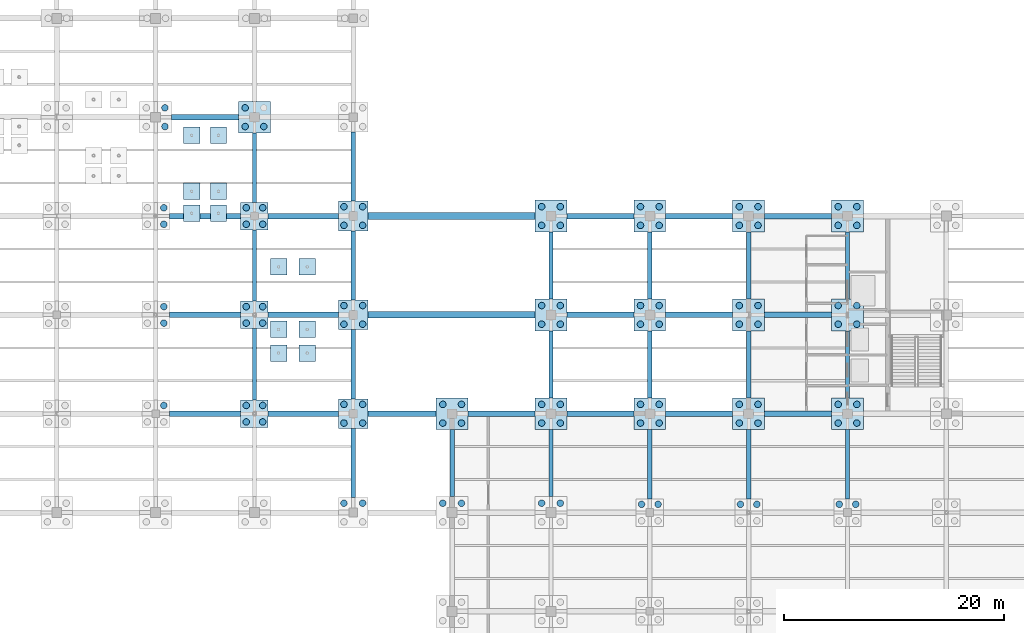
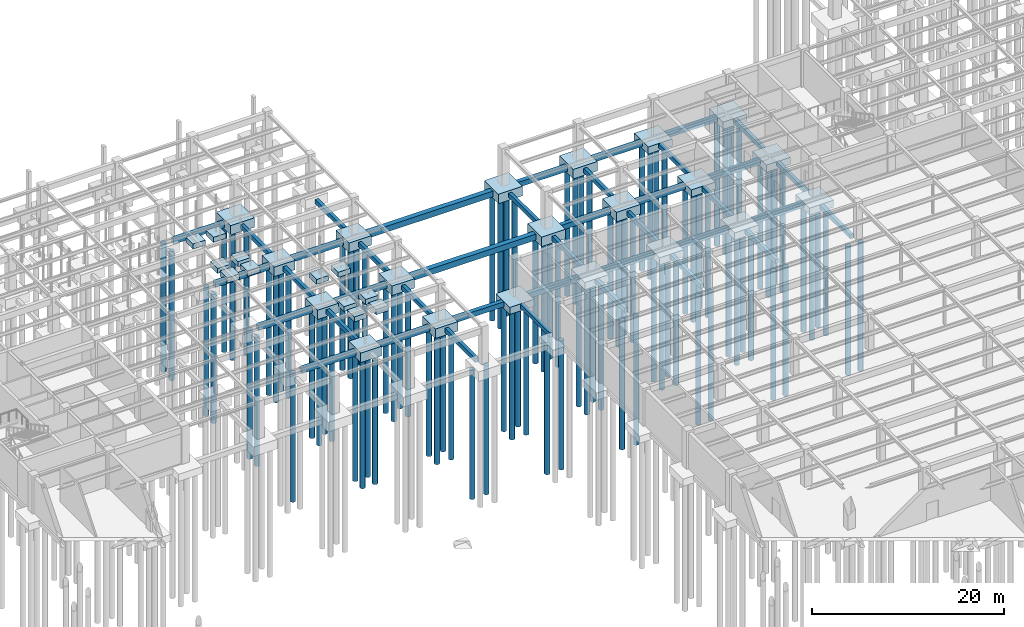
# One storey, part 6 of 49: 98 piles, 72 footings.
"""IFC4 building model written with IfcOpenShell, lengths in metres."""

from ifc_helpers import new_model, si_unit, direction, frame, origin, origin_2d, place, context, subcontext, project, spatial, rectangle, circle, extrude, material, material_profile, profile_set, type_object, element, save


model = new_model("IFC4")

# Units and contexts
model_context = context("Model", 3, precision=1e-05, world=origin(), true_north=direction((0.0, 1.0)))
body_context = subcontext(model_context, "Body", "Model", "MODEL_VIEW")
ifc_project = project(units=[si_unit("LENGTHUNIT", "METRE"), si_unit("AREAUNIT", "SQUARE_METRE"), si_unit("VOLUMEUNIT", "CUBIC_METRE"), si_unit("PLANEANGLEUNIT", "RADIAN"), si_unit("MASSUNIT", "GRAM", prefix="KILO")], contexts=[model_context])

# Site, building, storey
site_placement = place(None, origin())
site = spatial("IfcSite", under=ifc_project, at=site_placement, CompositionType="ELEMENT")
building_placement = place(site_placement, origin())
building = spatial("IfcBuilding", under=site, at=building_placement, Name="Lykobir Media Centre", CompositionType="ELEMENT")
storey_placement = place(building_placement, frame((0.0, 0.0, -4.800048828125)))
storey = spatial("IfcBuildingStorey", under=building, at=storey_placement, Name="B1", CompositionType="ELEMENT", Elevation=-4.800048828125)

# Piles
ifc_material_1 = material(Name="Concrete C30/37", Category="concrete")
ifc_material_profile = material_profile(ifc_material_1, circle(Radius=0.300048828125, at=origin_2d()), Name="BORED PILE D600")
ifc_profile_set = profile_set([ifc_material_profile], Name="Concrete C30/37")
pile_type = type_object("IfcPileType", Name="BP-600", PredefinedType="BORED", material=ifc_profile_set)
for number, where, z_axis, x_axis, name in (
    (1, (63.75, 72.75, -1.099853515625), (0.0, 0.0, -1.0), (1.0, 0.0, 0.0), "Bored pile PILE-0638-0728-4"),
    (2, (63.75, 80.25, -1.099853515625), (0.0, 0.0, -1.0), (1.0, 0.0, 0.0), "Bored pile PILE-0638-0802-2"),
    (3, (63.75, 81.75, -1.099853515625), (0.0, 0.0, -1.0), (1.0, 0.0, 0.0), "Bored pile PILE-0638-0818-4"),
    (4, (63.75, 89.25, -1.099853515625), (0.0, 0.0, -1.0), (1.0, 0.0, 0.0), "Bored pile PILE-0638-0892-2"),
    (5, (63.75, 90.75, -1.099853515625), (0.0, 0.0, -1.0), (1.0, 0.0, 0.0), "Bored pile PILE-0638-0908-4"),
    (6, (63.85009765625, 98.14990234375, -1.099853515625), (0.0, 0.0, -1.0), (1.0, 0.0, 0.0), "Bored pile PILE-0638-0982-2"),
    (7, (63.85009765625, 99.85009765625, -1.099853515625), (0.0, 0.0, -1.0), (1.0, 0.0, 0.0), "Bored pile PILE-0638-0998-4"),
    (8, (71.25, 71.25, -1.099853515625), (0.0, 0.0, -1.0), (1.0, 0.0, 0.0), "Bored pile PILE-0712-0712-1"),
    (9, (72.75, 71.25, -1.099853515625), (0.0, 0.0, -1.0), (1.0, 0.0, 0.0), "Bored pile PILE-0728-0712-2"),
    (10, (71.25, 72.75, -1.099853515625), (0.0, 0.0, -1.0), (1.0, 0.0, 0.0), "Bored pile PILE-0712-0728-3"),
    (11, (72.75, 72.75, -1.099853515625), (0.0, 0.0, -1.0), (1.0, 0.0, 0.0), "Bored pile PILE-0728-0728-4"),
    (12, (71.25, 80.25, -1.099853515625), (0.0, 0.0, -1.0), (1.0, 0.0, 0.0), "Bored pile PILE-0712-0802-1"),
    (13, (72.75, 80.25, -1.099853515625), (0.0, 0.0, -1.0), (1.0, 0.0, 0.0), "Bored pile PILE-0728-0802-2"),
    (14, (71.25, 81.75, -1.099853515625), (0.0, 0.0, -1.0), (1.0, 0.0, 0.0), "Bored pile PILE-0712-0818-3"),
    (15, (72.75, 81.75, -1.099853515625), (0.0, 0.0, -1.0), (1.0, 0.0, 0.0), "Bored pile PILE-0728-0818-4"),
    (16, (71.25, 89.25, -1.099853515625), (0.0, 0.0, -1.0), (1.0, 0.0, 0.0), "Bored pile PILE-0712-0892-1"),
    (17, (72.75, 89.25, -1.099853515625), (0.0, 0.0, -1.0), (1.0, 0.0, 0.0), "Bored pile PILE-0728-0892-2"),
    (18, (71.25, 90.75, -1.099853515625), (0.0, 0.0, -1.0), (1.0, 0.0, 0.0), "Bored pile PILE-0712-0908-3"),
    (19, (72.75, 90.75, -1.099853515625), (0.0, 0.0, -1.0), (1.0, 0.0, 0.0), "Bored pile PILE-0728-0908-4"),
    (20, (71.14990234375, 98.14990234375, -1.099853515625), (0.0, 0.0, -1.0), (1.0, 0.0, 0.0), "Bored pile PILE-0712-0982-1"),
    (21, (72.85009765625, 98.14990234375, -1.099853515625), (0.0, 0.0, -1.0), (1.0, 0.0, 0.0), "Bored pile PILE-0728-0982-2"),
    (22, (71.14990234375, 99.85009765625, -1.099853515625), (0.0, 0.0, -1.0), (1.0, 0.0, 0.0), "Bored pile PILE-0712-0998-3"),
    (23, (80.14990234375, 63.85009765625, -1.099853515625), (0.0, 0.0, -1.0), (1.0, 0.0, 0.0), "Bored pile PILE-0802-0638-3"),
    (24, (81.85009765625, 63.85009765625, -1.099853515625), (0.0, 0.0, -1.0), (1.0, 0.0, 0.0), "Bored pile PILE-0818-0638-4"),
    (25, (80.14990234375, 71.14990234375, -1.099853515625), (0.0, 0.0, -1.0), (1.0, 0.0, 0.0), "Bored pile PILE-0802-0712-1"),
    (26, (81.85009765625, 71.14990234375, -1.099853515625), (0.0, 0.0, -1.0), (1.0, 0.0, 0.0), "Bored pile PILE-0818-0712-2"),
    (27, (80.14990234375, 72.85009765625, -1.099853515625), (0.0, 0.0, -1.0), (1.0, 0.0, 0.0), "Bored pile PILE-0802-0728-3"),
    (28, (81.85009765625, 72.85009765625, -1.099853515625), (0.0, 0.0, -1.0), (1.0, 0.0, 0.0), "Bored pile PILE-0818-0728-4"),
    (29, (80.14990234375, 80.14990234375, -1.099853515625), (0.0, 0.0, -1.0), (1.0, 0.0, 0.0), "Bored pile PILE-0802-0802-1"),
    (30, (81.85009765625, 80.14990234375, -1.099853515625), (0.0, 0.0, -1.0), (1.0, 0.0, 0.0), "Bored pile PILE-0818-0802-2"),
    (31, (80.14990234375, 81.85009765625, -1.099853515625), (0.0, 0.0, -1.0), (1.0, 0.0, 0.0), "Bored pile PILE-0802-0818-3"),
    (32, (81.85009765625, 81.85009765625, -1.099853515625), (0.0, 0.0, -1.0), (1.0, 0.0, 0.0), "Bored pile PILE-0818-0818-4"),
    (33, (80.14990234375, 89.14990234375, -1.099853515625), (0.0, 0.0, -1.0), (1.0, 0.0, 0.0), "Bored pile PILE-0802-0892-1"),
    (34, (81.85009765625, 89.14990234375, -1.099853515625), (0.0, 0.0, -1.0), (1.0, 0.0, 0.0), "Bored pile PILE-0818-0892-2"),
    (35, (80.14990234375, 90.85009765625, -1.099853515625), (0.0, 0.0, -1.0), (1.0, 0.0, 0.0), "Bored pile PILE-0802-0908-3"),
    (36, (81.85009765625, 90.85009765625, -1.099853515625), (0.0, 0.0, -1.0), (1.0, 0.0, 0.0), "Bored pile PILE-0818-0908-4"),
    (37, (89.14990234375, 63.85009765625, -1.099853515625), (0.0, 0.0, -1.0), (1.0, 0.0, 0.0), "Bored pile PILE-0892-0638-3"),
    (38, (90.85009765625, 63.85009765625, -1.099853515625), (0.0, 0.0, -1.0), (1.0, 0.0, 0.0), "Bored pile PILE-0908-0638-4"),
    (39, (89.14990234375, 71.14990234375, -1.099853515625), (0.0, 0.0, -1.0), (1.0, 0.0, 0.0), "Bored pile PILE-0892-0712-1"),
    (40, (90.85009765625, 71.14990234375, -1.099853515625), (0.0, 0.0, -1.0), (1.0, 0.0, 0.0), "Bored pile PILE-0908-0712-2"),
    (41, (89.14990234375, 72.85009765625, -1.099853515625), (0.0, 0.0, -1.0), (1.0, 0.0, 0.0), "Bored pile PILE-0892-0728-3"),
    (42, (90.85009765625, 72.85009765625, -1.099853515625), (0.0, 0.0, -1.0), (1.0, 0.0, 0.0), "Bored pile PILE-0908-0728-4"),
    (43, (98.14990234375, 63.85009765625, -1.099853515625), (0.0, 0.0, -1.0), (1.0, 0.0, 0.0), "Bored pile PILE-0982-0638-3"),
    (44, (99.85009765625, 63.85009765625, -1.099853515625), (0.0, 0.0, -1.0), (1.0, 0.0, 0.0), "Bored pile PILE-0998-0638-4"),
    (45, (98.14990234375, 71.14990234375, -1.099853515625), (0.0, 0.0, -1.0), (1.0, 0.0, 0.0), "Bored pile PILE-0982-0712-1"),
    (46, (99.85009765625, 71.14990234375, -1.099853515625), (0.0, 0.0, -1.0), (1.0, 0.0, 0.0), "Bored pile PILE-0998-0712-2"),
    (47, (98.14990234375, 72.85009765625, -1.099853515625), (0.0, 0.0, -1.0), (1.0, 0.0, 0.0), "Bored pile PILE-0982-0728-3"),
    (48, (99.85009765625, 72.85009765625, -1.099853515625), (0.0, 0.0, -1.0), (1.0, 0.0, 0.0), "Bored pile PILE-0998-0728-4"),
    (49, (98.14990234375, 80.14990234375, -1.099853515625), (0.0, 0.0, -1.0), (1.0, 0.0, 0.0), "Bored pile PILE-0982-0802-1"),
    (50, (99.85009765625, 80.14990234375, -1.099853515625), (0.0, 0.0, -1.0), (1.0, 0.0, 0.0), "Bored pile PILE-0998-0802-2"),
    (51, (98.14990234375, 81.85009765625, -1.099853515625), (0.0, 0.0, -1.0), (1.0, 0.0, 0.0), "Bored pile PILE-0982-0818-3"),
    (52, (99.85009765625, 81.85009765625, -1.099853515625), (0.0, 0.0, -1.0), (1.0, 0.0, 0.0), "Bored pile PILE-0998-0818-4"),
    (53, (98.14990234375, 89.14990234375, -1.099853515625), (0.0, 0.0, -1.0), (1.0, 0.0, 0.0), "Bored pile PILE-0982-0892-1"),
    (54, (99.85009765625, 89.14990234375, -1.099853515625), (0.0, 0.0, -1.0), (1.0, 0.0, 0.0), "Bored pile PILE-0998-0892-2"),
    (55, (98.14990234375, 90.85009765625, -1.099853515625), (0.0, 0.0, -1.0), (1.0, 0.0, 0.0), "Bored pile PILE-0982-0908-3"),
    (56, (99.85009765625, 90.85009765625, -1.099853515625), (0.0, 0.0, -1.0), (1.0, 0.0, 0.0), "Bored pile PILE-0998-0908-4"),
    (57, (107.25, 63.75, -1.099853515625), (0.0, 0.0, -1.0), (1.0, 0.0, 0.0), "Bored pile PILE-1072-0638-3"),
    (58, (108.75, 63.75, -1.099853515625), (0.0, 0.0, -1.0), (1.0, 0.0, 0.0), "Bored pile PILE-1088-0638-4"),
    (59, (107.14990234375, 71.14990234375, -1.099853515625), (0.0, 0.0, -1.0), (1.0, 0.0, 0.0), "Bored pile PILE-1072-0712-1"),
    (60, (108.85009765625, 71.14990234375, -1.099853515625), (0.0, 0.0, -1.0), (1.0, 0.0, 0.0), "Bored pile PILE-1088-0712-2"),
    (61, (107.14990234375, 72.85009765625, -1.099853515625), (0.0, 0.0, -1.0), (1.0, 0.0, 0.0), "Bored pile PILE-1072-0728-3"),
    (62, (108.85009765625, 72.85009765625, -1.099853515625), (0.0, 0.0, -1.0), (1.0, 0.0, 0.0), "Bored pile PILE-1088-0728-4"),
    (63, (107.14990234375, 80.14990234375, -1.099853515625), (0.0, 0.0, -1.0), (1.0, 0.0, 0.0), "Bored pile PILE-1072-0802-1"),
    (64, (108.85009765625, 80.14990234375, -1.099853515625), (0.0, 0.0, -1.0), (1.0, 0.0, 0.0), "Bored pile PILE-1088-0802-2"),
    (65, (107.14990234375, 81.85009765625, -1.099853515625), (0.0, 0.0, -1.0), (1.0, 0.0, 0.0), "Bored pile PILE-1072-0818-3"),
    (66, (108.85009765625, 81.85009765625, -1.099853515625), (0.0, 0.0, -1.0), (1.0, 0.0, 0.0), "Bored pile PILE-1088-0818-4"),
    (67, (107.14990234375, 89.14990234375, -1.099853515625), (0.0, 0.0, -1.0), (1.0, 0.0, 0.0), "Bored pile PILE-1072-0892-1"),
    (68, (108.85009765625, 89.14990234375, -1.099853515625), (0.0, 0.0, -1.0), (1.0, 0.0, 0.0), "Bored pile PILE-1088-0892-2"),
    (69, (107.14990234375, 90.85009765625, -1.099853515625), (0.0, 0.0, -1.0), (1.0, 0.0, 0.0), "Bored pile PILE-1072-0908-3"),
    (70, (108.85009765625, 90.85009765625, -1.099853515625), (0.0, 0.0, -1.0), (1.0, 0.0, 0.0), "Bored pile PILE-1088-0908-4"),
    (71, (116.25, 63.75, -1.099853515625), (0.0, 0.0, -1.0), (1.0, 0.0, 0.0), "Bored pile PILE-1162-0638-3"),
    (72, (117.75, 63.75, -1.099853515625), (0.0, 0.0, -1.0), (1.0, 0.0, 0.0), "Bored pile PILE-1178-0638-4"),
    (73, (116.14990234375, 71.14990234375, -1.099853515625), (0.0, 0.0, -1.0), (1.0, 0.0, 0.0), "Bored pile PILE-1162-0712-1"),
    (74, (117.85009765625, 71.14990234375, -1.099853515625), (0.0, 0.0, -1.0), (1.0, 0.0, 0.0), "Bored pile PILE-1178-0712-2"),
    (75, (116.14990234375, 72.85009765625, -1.099853515625), (0.0, 0.0, -1.0), (1.0, 0.0, 0.0), "Bored pile PILE-1162-0728-3"),
    (76, (117.85009765625, 72.85009765625, -1.099853515625), (0.0, 0.0, -1.0), (1.0, 0.0, 0.0), "Bored pile PILE-1178-0728-4"),
    (77, (116.14990234375, 80.14990234375, -1.099853515625), (0.0, 0.0, -1.0), (1.0, 0.0, 0.0), "Bored pile PILE-1162-0802-1"),
    (78, (117.85009765625, 80.14990234375, -1.099853515625), (0.0, 0.0, -1.0), (1.0, 0.0, 0.0), "Bored pile PILE-1178-0802-2"),
    (79, (116.14990234375, 81.85009765625, -1.099853515625), (0.0, 0.0, -1.0), (1.0, 0.0, 0.0), "Bored pile PILE-1162-0818-3"),
    (80, (117.85009765625, 81.85009765625, -1.099853515625), (0.0, 0.0, -1.0), (1.0, 0.0, 0.0), "Bored pile PILE-1178-0818-4"),
    (81, (116.14990234375, 89.14990234375, -1.099853515625), (0.0, 0.0, -1.0), (1.0, 0.0, 0.0), "Bored pile PILE-1162-0892-1"),
    (82, (117.85009765625, 89.14990234375, -1.099853515625), (0.0, 0.0, -1.0), (1.0, 0.0, 0.0), "Bored pile PILE-1178-0892-2"),
    (83, (116.14990234375, 90.85009765625, -1.099853515625), (0.0, 0.0, -1.0), (1.0, 0.0, 0.0), "Bored pile PILE-1162-0908-3"),
    (84, (117.85009765625, 90.85009765625, -1.099853515625), (0.0, 0.0, -1.0), (1.0, 0.0, 0.0), "Bored pile PILE-1178-0908-4"),
    (85, (125.25, 63.75, -1.099853515625), (0.0, 0.0, -1.0), (1.0, 0.0, 0.0), "Bored pile PILE-1252-0638-3"),
    (86, (126.75, 63.75, -1.099853515625), (0.0, 0.0, -1.0), (1.0, 0.0, 0.0), "Bored pile PILE-1268-0638-4"),
    (87, (125.14990234375, 71.14990234375, -1.099853515625), (0.0, 0.0, -1.0), (1.0, 0.0, 0.0), "Bored pile PILE-1252-0712-1"),
    (88, (126.85009765625, 71.14990234375, -1.099853515625), (0.0, 0.0, -1.0), (1.0, 0.0, 0.0), "Bored pile PILE-1268-0712-2"),
    (89, (125.14990234375, 72.85009765625, -1.099853515625), (0.0, 0.0, -1.0), (1.0, 0.0, 0.0), "Bored pile PILE-1252-0728-3"),
    (90, (126.85009765625, 72.85009765625, -1.099853515625), (0.0, 0.0, -1.0), (1.0, 0.0, 0.0), "Bored pile PILE-1268-0728-4"),
    (91, (125.14990234375, 80.14990234375, -1.099853515625), (0.0, 0.0, -1.0), (1.0, 0.0, 0.0), "Bored pile PILE-1252-0802-1"),
    (92, (126.85009765625, 80.14990234375, -1.099853515625), (0.0, 0.0, -1.0), (1.0, 0.0, 0.0), "Bored pile PILE-1268-0802-2"),
    (93, (125.14990234375, 81.85009765625, -1.099853515625), (0.0, 0.0, -1.0), (1.0, 0.0, 0.0), "Bored pile PILE-1252-0818-3"),
    (94, (126.85009765625, 81.85009765625, -1.099853515625), (0.0, 0.0, -1.0), (1.0, 0.0, 0.0), "Bored pile PILE-1268-0818-4"),
    (95, (125.14990234375, 89.14990234375, -1.099853515625), (0.0, 0.0, -1.0), (1.0, 0.0, 0.0), "Bored pile PILE-1252-0892-1"),
    (96, (126.85009765625, 89.14990234375, -1.099853515625), (0.0, 0.0, -1.0), (1.0, 0.0, 0.0), "Bored pile PILE-1268-0892-2"),
    (97, (125.14990234375, 90.85009765625, -1.099853515625), (0.0, 0.0, -1.0), (1.0, 0.0, 0.0), "Bored pile PILE-1252-0908-3"),
    (98, (126.85009765625, 90.85009765625, -1.099853515625), (0.0, 0.0, -1.0), (1.0, 0.0, 0.0), "Bored pile PILE-1268-0908-4"),
):
    element("IfcPile", number, at=place(storey_placement, frame(where, z_axis=z_axis, x_axis=x_axis)), inside=storey, type_object=pile_type, Name=name, PredefinedType="BORED", context=body_context, shape_type="SweptSolid", body=[
        extrude(circle(Radius=0.300048828125, at=origin_2d()), origin(), (0.0, 0.0, 1.0), 16.39990234375),
    ])

# Footings
ifc_material_2 = material(Name="Concrete C35/45", Category="concrete")
footing_type_1 = type_object("IfcFootingType", Name="GB-1", PredefinedType="FOOTING_BEAM", material=ifc_material_2)
for number, where, z_axis, x_axis, name in (
    (99, (89.949951171875, 81.0, -1.050048828125), (0.0, 0.0, 1.0), (1.0, 0.0, 0.0), "Ground tie beam FTG-GB-X-139"),
    (100, (89.949951171875, 90.0, -1.050048828125), (0.0, 0.0, 1.0), (1.0, 0.0, 0.0), "Ground tie beam FTG-GB-X-154"),
):
    element("IfcFooting", number, at=place(storey_placement, frame(where, z_axis=z_axis, x_axis=x_axis)), inside=storey, type_object=footing_type_1, Name=name, PredefinedType="FOOTING_BEAM", context=body_context, shape_type="SweptSolid", body=[
        extrude(rectangle(XDim=15.199951171875, YDim=0.60009765625, at=origin_2d()), origin(), (0.0, 0.0, 1.0), 0.75),
    ])
footing_type_2 = type_object("IfcFootingType", Name="GB-3", PredefinedType="FOOTING_BEAM", material=ifc_material_2)
footing_1_placement = place(storey_placement, frame((67.5, 72.0, -0.949951171875), z_axis=(0.0, 0.0, 1.0), x_axis=(1.0, 0.0, 0.0)))
element("IfcFooting", 101, at=footing_1_placement, inside=storey, type_object=footing_type_2, Name="Ground tie beam FTG-GB-X-121", PredefinedType="FOOTING_BEAM", context=body_context, shape_type="SweptSolid", body=[
    extrude(rectangle(XDim=6.5, YDim=0.5, at=origin_2d()), origin(), (0.0, 0.0, 1.0), 0.64990234375),
])
footing_2_placement = place(storey_placement, frame((76.449951171875, 72.0, -0.949951171875), z_axis=(0.0, 0.0, 1.0), x_axis=(1.0, 0.0, 0.0)))
element("IfcFooting", 102, at=footing_2_placement, inside=storey, type_object=footing_type_2, Name="Ground tie beam FTG-GB-X-122", PredefinedType="FOOTING_BEAM", context=body_context, shape_type="SweptSolid", body=[
    extrude(rectangle(XDim=6.39990234375, YDim=0.5, at=origin_2d()), origin(), (0.0, 0.0, 1.0), 0.64990234375),
])
footing_3_placement = place(storey_placement, frame((85.449951171875, 72.0, -0.949951171875), z_axis=(0.0, 0.0, 1.0), x_axis=(1.0, 0.0, 0.0)))
element("IfcFooting", 103, at=footing_3_placement, inside=storey, type_object=footing_type_2, Name="Ground tie beam FTG-GB-X-123", PredefinedType="FOOTING_BEAM", context=body_context, shape_type="SweptSolid", body=[
    extrude(rectangle(XDim=6.199951171875, YDim=0.5, at=origin_2d()), origin(), (0.0, 0.0, 1.0), 0.64990234375),
])
for number, where, z_axis, x_axis, name in (
    (104, (94.5, 72.0, -0.949951171875), (0.0, 0.0, 1.0), (1.0, 0.0, 0.0), "Ground tie beam FTG-GB-X-124"),
    (105, (103.5, 72.0, -0.949951171875), (0.0, 0.0, 1.0), (1.0, 0.0, 0.0), "Ground tie beam FTG-GB-X-125"),
    (106, (112.5, 72.0, -0.949951171875), (0.0, 0.0, 1.0), (1.0, 0.0, 0.0), "Ground tie beam FTG-GB-X-126"),
    (107, (121.5, 72.0, -0.949951171875), (0.0, 0.0, 1.0), (1.0, 0.0, 0.0), "Ground tie beam FTG-GB-X-127"),
):
    element("IfcFooting", number, at=place(storey_placement, frame(where, z_axis=z_axis, x_axis=x_axis)), inside=storey, type_object=footing_type_2, Name=name, PredefinedType="FOOTING_BEAM", context=body_context, shape_type="SweptSolid", body=[
        extrude(rectangle(XDim=6.10009765625, YDim=0.5, at=origin_2d()), origin(), (0.0, 0.0, 1.0), 0.64990234375),
    ])
footing_4_placement = place(storey_placement, frame((67.5, 81.0, -0.949951171875), z_axis=(0.0, 0.0, 1.0), x_axis=(1.0, 0.0, 0.0)))
element("IfcFooting", 108, at=footing_4_placement, inside=storey, type_object=footing_type_2, Name="Ground tie beam FTG-GB-X-137", PredefinedType="FOOTING_BEAM", context=body_context, shape_type="SweptSolid", body=[
    extrude(rectangle(XDim=6.5, YDim=0.5, at=origin_2d()), origin(), (0.0, 0.0, 1.0), 0.64990234375),
])
footing_5_placement = place(storey_placement, frame((76.449951171875, 81.0, -0.949951171875), z_axis=(0.0, 0.0, 1.0), x_axis=(1.0, 0.0, 0.0)))
element("IfcFooting", 109, at=footing_5_placement, inside=storey, type_object=footing_type_2, Name="Ground tie beam FTG-GB-X-138", PredefinedType="FOOTING_BEAM", context=body_context, shape_type="SweptSolid", body=[
    extrude(rectangle(XDim=6.39990234375, YDim=0.5, at=origin_2d()), origin(), (0.0, 0.0, 1.0), 0.64990234375),
])
for number, where, z_axis, x_axis, name in (
    (110, (103.5, 81.0, -0.949951171875), (0.0, 0.0, 1.0), (1.0, 0.0, 0.0), "Ground tie beam FTG-GB-X-140"),
    (111, (112.5, 81.0, -0.949951171875), (0.0, 0.0, 1.0), (1.0, 0.0, 0.0), "Ground tie beam FTG-GB-X-141"),
    (112, (121.5, 81.0, -0.949951171875), (0.0, 0.0, 1.0), (1.0, 0.0, 0.0), "Ground tie beam FTG-GB-X-142"),
):
    element("IfcFooting", number, at=place(storey_placement, frame(where, z_axis=z_axis, x_axis=x_axis)), inside=storey, type_object=footing_type_2, Name=name, PredefinedType="FOOTING_BEAM", context=body_context, shape_type="SweptSolid", body=[
        extrude(rectangle(XDim=6.10009765625, YDim=0.5, at=origin_2d()), origin(), (0.0, 0.0, 1.0), 0.64990234375),
    ])
footing_6_placement = place(storey_placement, frame((67.5, 90.0, -0.949951171875), z_axis=(0.0, 0.0, 1.0), x_axis=(1.0, 0.0, 0.0)))
element("IfcFooting", 113, at=footing_6_placement, inside=storey, type_object=footing_type_2, Name="Ground tie beam FTG-GB-X-152", PredefinedType="FOOTING_BEAM", context=body_context, shape_type="SweptSolid", body=[
    extrude(rectangle(XDim=6.5, YDim=0.5, at=origin_2d()), origin(), (0.0, 0.0, 1.0), 0.64990234375),
])
footing_7_placement = place(storey_placement, frame((76.449951171875, 90.0, -0.949951171875), z_axis=(0.0, 0.0, 1.0), x_axis=(1.0, 0.0, 0.0)))
element("IfcFooting", 114, at=footing_7_placement, inside=storey, type_object=footing_type_2, Name="Ground tie beam FTG-GB-X-153", PredefinedType="FOOTING_BEAM", context=body_context, shape_type="SweptSolid", body=[
    extrude(rectangle(XDim=6.39990234375, YDim=0.5, at=origin_2d()), origin(), (0.0, 0.0, 1.0), 0.64990234375),
])
for number, where, z_axis, x_axis, name in (
    (115, (103.5, 90.0, -0.949951171875), (0.0, 0.0, 1.0), (1.0, 0.0, 0.0), "Ground tie beam FTG-GB-X-155"),
    (116, (112.5, 90.0, -0.949951171875), (0.0, 0.0, 1.0), (1.0, 0.0, 0.0), "Ground tie beam FTG-GB-X-156"),
    (117, (121.5, 90.0, -0.949951171875), (0.0, 0.0, 1.0), (1.0, 0.0, 0.0), "Ground tie beam FTG-GB-X-157"),
    (118, (67.5, 99.0, -0.949951171875), (0.0, 0.0, 1.0), (1.0, 0.0, 0.0), "Ground tie beam FTG-GB-X-167"),
):
    element("IfcFooting", number, at=place(storey_placement, frame(where, z_axis=z_axis, x_axis=x_axis)), inside=storey, type_object=footing_type_2, Name=name, PredefinedType="FOOTING_BEAM", context=body_context, shape_type="SweptSolid", body=[
        extrude(rectangle(XDim=6.10009765625, YDim=0.5, at=origin_2d()), origin(), (0.0, 0.0, 1.0), 0.64990234375),
    ])
footing_type_3 = type_object("IfcFootingType", Name="GB-5", PredefinedType="FOOTING_BEAM", material=ifc_material_2)
for number, where, z_axis, x_axis, name in (
    (119, (72.0, 76.5, -0.85009765625), (0.0, 0.0, 1.0), (0.0, 1.0, 0.0), "Ground tie beam FTG-GB-Y-257"),
    (120, (72.0, 85.5, -0.85009765625), (0.0, 0.0, 1.0), (0.0, 1.0, 0.0), "Ground tie beam FTG-GB-Y-258"),
):
    element("IfcFooting", number, at=place(storey_placement, frame(where, z_axis=z_axis, x_axis=x_axis)), inside=storey, type_object=footing_type_3, Name=name, PredefinedType="FOOTING_BEAM", context=body_context, shape_type="SweptSolid", body=[
        extrude(rectangle(XDim=6.5, YDim=0.39990234375, at=origin_2d()), origin(), (0.0, 0.0, 1.0), 0.550048828125),
    ])
for number, where, z_axis, x_axis, name in (
    (121, (72.0, 94.39990234375, -0.85009765625), (0.0, 0.0, 1.0), (0.0, 1.0, 0.0), "Ground tie beam FTG-GB-Y-259"),
    (122, (81.0, 67.5, -0.85009765625), (0.0, 0.0, 1.0), (0.0, 1.0, 0.0), "Ground tie beam FTG-GB-Y-264"),
    (123, (81.0, 76.5, -0.85009765625), (0.0, 0.0, 1.0), (0.0, 1.0, 0.0), "Ground tie beam FTG-GB-Y-265"),
    (124, (81.0, 85.5, -0.85009765625), (0.0, 0.0, 1.0), (0.0, 1.0, 0.0), "Ground tie beam FTG-GB-Y-266"),
    (125, (81.0, 94.5, -0.85009765625), (0.0, 0.0, 1.0), (0.0, 1.0, 0.0), "Ground tie beam FTG-GB-Y-267"),
):
    element("IfcFooting", number, at=place(storey_placement, frame(where, z_axis=z_axis, x_axis=x_axis)), inside=storey, type_object=footing_type_3, Name=name, PredefinedType="FOOTING_BEAM", context=body_context, shape_type="SweptSolid", body=[
        extrude(rectangle(XDim=6.300048828125, YDim=0.39990234375, at=origin_2d()), origin(), (0.0, 0.0, 1.0), 0.550048828125),
    ])
for number, where, z_axis, x_axis, name in (
    (126, (90.0, 67.5, -0.85009765625), (0.0, 0.0, 1.0), (0.0, 1.0, 0.0), "Ground tie beam FTG-GB-Y-277"),
    (127, (99.0, 67.5, -0.85009765625), (0.0, 0.0, 1.0), (0.0, 1.0, 0.0), "Ground tie beam FTG-GB-Y-285"),
    (128, (99.0, 76.5, -0.85009765625), (0.0, 0.0, 1.0), (0.0, 1.0, 0.0), "Ground tie beam FTG-GB-Y-286"),
    (129, (99.0, 85.5, -0.85009765625), (0.0, 0.0, 1.0), (0.0, 1.0, 0.0), "Ground tie beam FTG-GB-Y-287"),
):
    element("IfcFooting", number, at=place(storey_placement, frame(where, z_axis=z_axis, x_axis=x_axis)), inside=storey, type_object=footing_type_3, Name=name, PredefinedType="FOOTING_BEAM", context=body_context, shape_type="SweptSolid", body=[
        extrude(rectangle(XDim=6.10009765625, YDim=0.39990234375, at=origin_2d()), origin(), (0.0, 0.0, 1.0), 0.550048828125),
    ])
footing_8_placement = place(storey_placement, frame((108.0, 67.39990234375, -0.85009765625), z_axis=(0.0, 0.0, 1.0), x_axis=(0.0, 1.0, 0.0)))
element("IfcFooting", 130, at=footing_8_placement, inside=storey, type_object=footing_type_3, Name="Ground tie beam FTG-GB-Y-295", PredefinedType="FOOTING_BEAM", context=body_context, shape_type="SweptSolid", body=[
    extrude(rectangle(XDim=6.300048828125, YDim=0.39990234375, at=origin_2d()), origin(), (0.0, 0.0, 1.0), 0.550048828125),
])
for number, where, z_axis, x_axis, name in (
    (131, (108.0, 76.5, -0.85009765625), (0.0, 0.0, 1.0), (0.0, 1.0, 0.0), "Ground tie beam FTG-GB-Y-296"),
    (132, (108.0, 85.5, -0.85009765625), (0.0, 0.0, 1.0), (0.0, 1.0, 0.0), "Ground tie beam FTG-GB-Y-297"),
):
    element("IfcFooting", number, at=place(storey_placement, frame(where, z_axis=z_axis, x_axis=x_axis)), inside=storey, type_object=footing_type_3, Name=name, PredefinedType="FOOTING_BEAM", context=body_context, shape_type="SweptSolid", body=[
        extrude(rectangle(XDim=6.10009765625, YDim=0.39990234375, at=origin_2d()), origin(), (0.0, 0.0, 1.0), 0.550048828125),
    ])
footing_9_placement = place(storey_placement, frame((117.0, 67.39990234375, -0.85009765625), z_axis=(0.0, 0.0, 1.0), x_axis=(0.0, 1.0, 0.0)))
element("IfcFooting", 133, at=footing_9_placement, inside=storey, type_object=footing_type_3, Name="Ground tie beam FTG-GB-Y-305", PredefinedType="FOOTING_BEAM", context=body_context, shape_type="SweptSolid", body=[
    extrude(rectangle(XDim=6.300048828125, YDim=0.39990234375, at=origin_2d()), origin(), (0.0, 0.0, 1.0), 0.550048828125),
])
for number, where, z_axis, x_axis, name in (
    (134, (117.0, 76.5, -0.85009765625), (0.0, 0.0, 1.0), (0.0, 1.0, 0.0), "Ground tie beam FTG-GB-Y-306"),
    (135, (117.0, 85.5, -0.85009765625), (0.0, 0.0, 1.0), (0.0, 1.0, 0.0), "Ground tie beam FTG-GB-Y-307"),
):
    element("IfcFooting", number, at=place(storey_placement, frame(where, z_axis=z_axis, x_axis=x_axis)), inside=storey, type_object=footing_type_3, Name=name, PredefinedType="FOOTING_BEAM", context=body_context, shape_type="SweptSolid", body=[
        extrude(rectangle(XDim=6.10009765625, YDim=0.39990234375, at=origin_2d()), origin(), (0.0, 0.0, 1.0), 0.550048828125),
    ])
footing_10_placement = place(storey_placement, frame((126.0, 67.39990234375, -0.85009765625), z_axis=(0.0, 0.0, 1.0), x_axis=(0.0, 1.0, 0.0)))
element("IfcFooting", 136, at=footing_10_placement, inside=storey, type_object=footing_type_3, Name="Ground tie beam FTG-GB-Y-315", PredefinedType="FOOTING_BEAM", context=body_context, shape_type="SweptSolid", body=[
    extrude(rectangle(XDim=6.300048828125, YDim=0.39990234375, at=origin_2d()), origin(), (0.0, 0.0, 1.0), 0.550048828125),
])
for number, where, z_axis, x_axis, name in (
    (137, (126.0, 76.5, -0.85009765625), (0.0, 0.0, 1.0), (0.0, 1.0, 0.0), "Ground tie beam FTG-GB-Y-316"),
    (138, (126.0, 85.5, -0.85009765625), (0.0, 0.0, 1.0), (0.0, 1.0, 0.0), "Ground tie beam FTG-GB-Y-317"),
):
    element("IfcFooting", number, at=place(storey_placement, frame(where, z_axis=z_axis, x_axis=x_axis)), inside=storey, type_object=footing_type_3, Name=name, PredefinedType="FOOTING_BEAM", context=body_context, shape_type="SweptSolid", body=[
        extrude(rectangle(XDim=6.10009765625, YDim=0.39990234375, at=origin_2d()), origin(), (0.0, 0.0, 1.0), 0.550048828125),
    ])
footing_type_4 = type_object("IfcFootingType", Name="PC-4", PredefinedType="PILE_CAP", material=ifc_material_2)
footing_11_placement = place(storey_placement, frame((72.0, 99.0, -1.19970703125), z_axis=(0.0, 0.0, 1.0), x_axis=(1.0, 0.0, 0.0)))
element("IfcFooting", 139, at=footing_11_placement, inside=storey, type_object=footing_type_4, Name="Pile cap FTG-PC-0720-0990", PredefinedType="PILE_CAP", context=body_context, shape_type="SweptSolid", body=[
    extrude(rectangle(XDim=2.89990234375, YDim=2.89990234375, at=origin_2d()), origin(), (0.0, 0.0, 1.0), 1.199951171875),
])
for number, where, z_axis, x_axis, name in (
    (140, (90.0, 72.0, -1.199951171875), (0.0, 0.0, 1.0), (1.0, 0.0, 0.0), "Pile cap FTG-PC-0900-0720"),
    (141, (99.0, 72.0, -1.199951171875), (0.0, 0.0, 1.0), (1.0, 0.0, 0.0), "Pile cap FTG-PC-0990-0720"),
):
    element("IfcFooting", number, at=place(storey_placement, frame(where, z_axis=z_axis, x_axis=x_axis)), inside=storey, type_object=footing_type_4, Name=name, PredefinedType="PILE_CAP", context=body_context, shape_type="SweptSolid", body=[
        extrude(rectangle(XDim=2.89990234375, YDim=2.89990234375, at=origin_2d()), origin(), (0.0, 0.0, 1.0), 0.89990234375),
    ])
for number, where, z_axis, x_axis, name in (
    (142, (99.0, 81.0, -1.19970703125), (0.0, 0.0, 1.0), (1.0, 0.0, 0.0), "Pile cap FTG-PC-0990-0810"),
    (143, (99.0, 90.0, -1.19970703125), (0.0, 0.0, 1.0), (1.0, 0.0, 0.0), "Pile cap FTG-PC-0990-0900"),
):
    element("IfcFooting", number, at=place(storey_placement, frame(where, z_axis=z_axis, x_axis=x_axis)), inside=storey, type_object=footing_type_4, Name=name, PredefinedType="PILE_CAP", context=body_context, shape_type="SweptSolid", body=[
        extrude(rectangle(XDim=2.89990234375, YDim=2.89990234375, at=origin_2d()), origin(), (0.0, 0.0, 1.0), 1.199951171875),
    ])
footing_12_placement = place(storey_placement, frame((108.0, 72.0, -1.199951171875), z_axis=(0.0, 0.0, 1.0), x_axis=(1.0, 0.0, 0.0)))
element("IfcFooting", 144, at=footing_12_placement, inside=storey, type_object=footing_type_4, Name="Pile cap FTG-PC-1080-0720", PredefinedType="PILE_CAP", context=body_context, shape_type="SweptSolid", body=[
    extrude(rectangle(XDim=2.89990234375, YDim=2.89990234375, at=origin_2d()), origin(), (0.0, 0.0, 1.0), 0.89990234375),
])
for number, where, z_axis, x_axis, name in (
    (145, (108.0, 81.0, -1.19970703125), (0.0, 0.0, 1.0), (1.0, 0.0, 0.0), "Pile cap FTG-PC-1080-0810"),
    (146, (108.0, 90.0, -1.19970703125), (0.0, 0.0, 1.0), (1.0, 0.0, 0.0), "Pile cap FTG-PC-1080-0900"),
):
    element("IfcFooting", number, at=place(storey_placement, frame(where, z_axis=z_axis, x_axis=x_axis)), inside=storey, type_object=footing_type_4, Name=name, PredefinedType="PILE_CAP", context=body_context, shape_type="SweptSolid", body=[
        extrude(rectangle(XDim=2.89990234375, YDim=2.89990234375, at=origin_2d()), origin(), (0.0, 0.0, 1.0), 1.199951171875),
    ])
for number, where, z_axis, x_axis, name in (
    (147, (117.0, 72.0, -1.199951171875), (0.0, 0.0, 1.0), (1.0, 0.0, 0.0), "Pile cap FTG-PC-1170-0720"),
    (148, (117.0, 81.0, -1.199951171875), (0.0, 0.0, 1.0), (1.0, 0.0, 0.0), "Pile cap FTG-PC-1170-0810"),
    (149, (117.0, 90.0, -1.199951171875), (0.0, 0.0, 1.0), (1.0, 0.0, 0.0), "Pile cap FTG-PC-1170-0900"),
    (150, (126.0, 72.0, -1.199951171875), (0.0, 0.0, 1.0), (1.0, 0.0, 0.0), "Pile cap FTG-PC-1260-0720"),
    (151, (126.0, 81.0, -1.199951171875), (0.0, 0.0, 1.0), (1.0, 0.0, 0.0), "Pile cap FTG-PC-1260-0810"),
    (152, (126.0, 90.0, -1.199951171875), (0.0, 0.0, 1.0), (1.0, 0.0, 0.0), "Pile cap FTG-PC-1260-0900"),
):
    element("IfcFooting", number, at=place(storey_placement, frame(where, z_axis=z_axis, x_axis=x_axis)), inside=storey, type_object=footing_type_4, Name=name, PredefinedType="PILE_CAP", context=body_context, shape_type="SweptSolid", body=[
        extrude(rectangle(XDim=2.89990234375, YDim=2.89990234375, at=origin_2d()), origin(), (0.0, 0.0, 1.0), 0.89990234375),
    ])
footing_type_5 = type_object("IfcFootingType", Name="PC-5", PredefinedType="PILE_CAP", material=ifc_material_2)
for number, where, z_axis, x_axis, name in (
    (153, (81.0, 72.0, -1.19970703125), (0.0, 0.0, 1.0), (1.0, 0.0, 0.0), "Pile cap FTG-PC-0810-0720"),
    (154, (81.0, 81.0, -1.19970703125), (0.0, 0.0, 1.0), (1.0, 0.0, 0.0), "Pile cap FTG-PC-0810-0810"),
    (155, (81.0, 90.0, -1.19970703125), (0.0, 0.0, 1.0), (1.0, 0.0, 0.0), "Pile cap FTG-PC-0810-0900"),
):
    element("IfcFooting", number, at=place(storey_placement, frame(where, z_axis=z_axis, x_axis=x_axis)), inside=storey, type_object=footing_type_5, Name=name, PredefinedType="PILE_CAP", context=body_context, shape_type="SweptSolid", body=[
        extrude(rectangle(XDim=2.699951171875, YDim=2.699951171875, at=origin_2d()), origin(), (0.0, 0.0, 1.0), 1.199951171875),
    ])
footing_type_6 = type_object("IfcFootingType", Name="PC-6", PredefinedType="PILE_CAP", material=ifc_material_2)
for number, where, z_axis, x_axis, name in (
    (156, (72.0, 72.0, -1.19970703125), (0.0, 0.0, 1.0), (1.0, 0.0, 0.0), "Pile cap FTG-PC-0720-0720"),
    (157, (72.0, 81.0, -1.19970703125), (0.0, 0.0, 1.0), (1.0, 0.0, 0.0), "Pile cap FTG-PC-0720-0810"),
    (158, (72.0, 90.0, -1.19970703125), (0.0, 0.0, 1.0), (1.0, 0.0, 0.0), "Pile cap FTG-PC-0720-0900"),
):
    element("IfcFooting", number, at=place(storey_placement, frame(where, z_axis=z_axis, x_axis=x_axis)), inside=storey, type_object=footing_type_6, Name=name, PredefinedType="PILE_CAP", context=body_context, shape_type="SweptSolid", body=[
        extrude(rectangle(XDim=2.5, YDim=2.5, at=origin_2d()), origin(), (0.0, 0.0, 1.0), 1.199951171875),
    ])
footing_type_7 = type_object("IfcFootingType", Name="PF-3", PredefinedType="PAD_FOOTING", material=ifc_material_2)
for number, where, z_axis, x_axis, name in (
    (159, (74.199951171875, 77.52001953125, -0.64990234375), (0.0, 0.0, 1.0), (1.0, 0.0, 0.0), "Valley stair footing 1-742-775"),
    (160, (74.199951171875, 79.669921875, -0.64990234375), (0.0, 0.0, 1.0), (1.0, 0.0, 0.0), "Valley stair footing 1-742-797"),
    (161, (76.800048828125, 77.52001953125, -0.64990234375), (0.0, 0.0, 1.0), (1.0, 0.0, 0.0), "Valley stair footing 1-768-775"),
    (162, (76.800048828125, 79.669921875, -0.64990234375), (0.0, 0.0, 1.0), (1.0, 0.0, 0.0), "Valley stair footing 1-768-797"),
    (163, (74.199951171875, 85.3701171875, -0.64990234375), (0.0, 0.0, 1.0), (1.0, 0.0, 0.0), "Valley arrival footing A1-742"),
    (164, (76.800048828125, 85.3701171875, -0.64990234375), (0.0, 0.0, 1.0), (1.0, 0.0, 0.0), "Valley arrival footing A1-768"),
    (165, (66.27490234375, 90.25, -0.64990234375), (0.0, 0.0, 1.0), (1.0, 0.0, 0.0), "Valley stair footing 2-663-902"),
    (166, (66.27490234375, 92.25, -0.64990234375), (0.0, 0.0, 1.0), (1.0, 0.0, 0.0), "Valley stair footing 2-663-922"),
    (167, (68.72509765625, 90.25, -0.64990234375), (0.0, 0.0, 1.0), (1.0, 0.0, 0.0), "Valley stair footing 2-687-902"),
    (168, (68.72509765625, 92.25, -0.64990234375), (0.0, 0.0, 1.0), (1.0, 0.0, 0.0), "Valley stair footing 2-687-922"),
    (169, (66.27490234375, 97.35009765625, -0.64990234375), (0.0, 0.0, 1.0), (1.0, 0.0, 0.0), "Valley arrival footing A2-663"),
    (170, (68.72509765625, 97.35009765625, -0.64990234375), (0.0, 0.0, 1.0), (1.0, 0.0, 0.0), "Valley arrival footing A2-687"),
):
    element("IfcFooting", number, at=place(storey_placement, frame(where, z_axis=z_axis, x_axis=x_axis)), inside=storey, type_object=footing_type_7, Name=name, PredefinedType="PAD_FOOTING", context=body_context, shape_type="SweptSolid", body=[
        extrude(rectangle(XDim=1.5, YDim=1.5, at=origin_2d()), origin(), (0.0, 0.0, 1.0), 0.64990234375),
    ])

save(model, "model.ifc")
